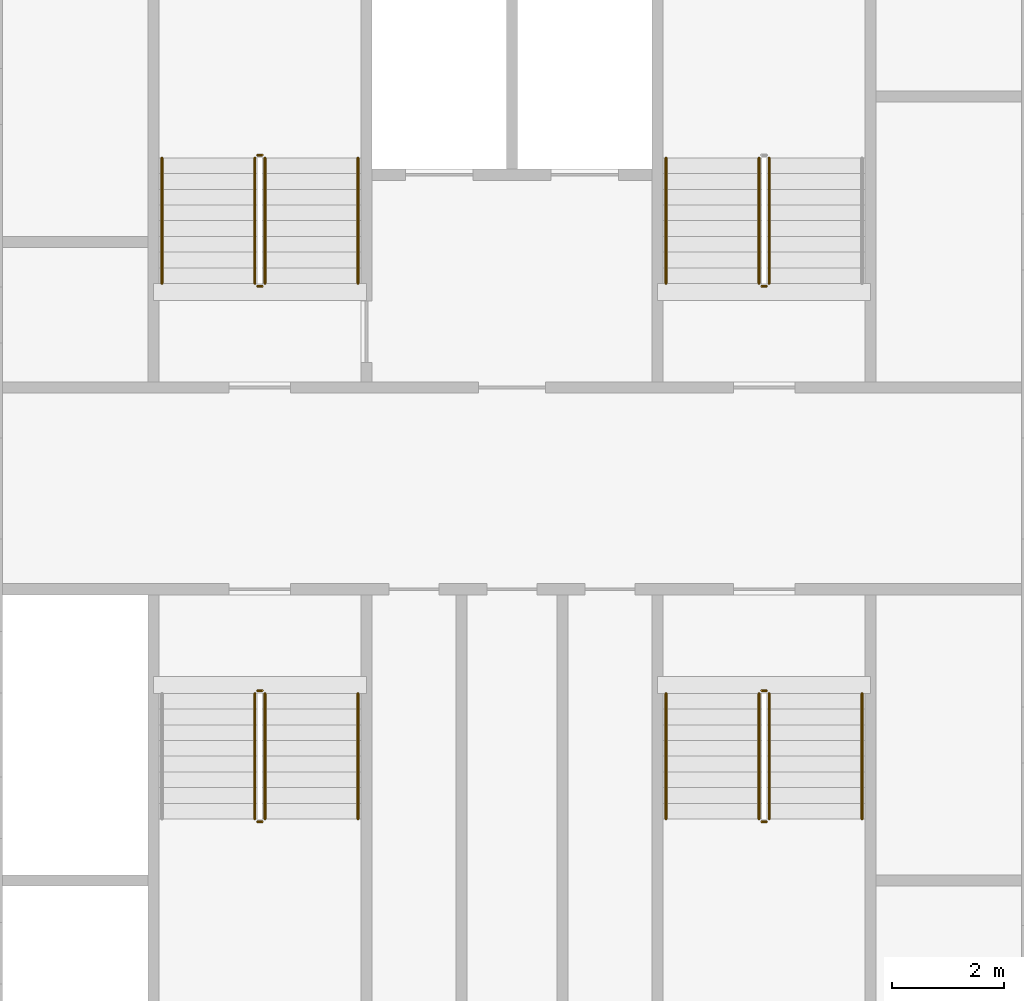
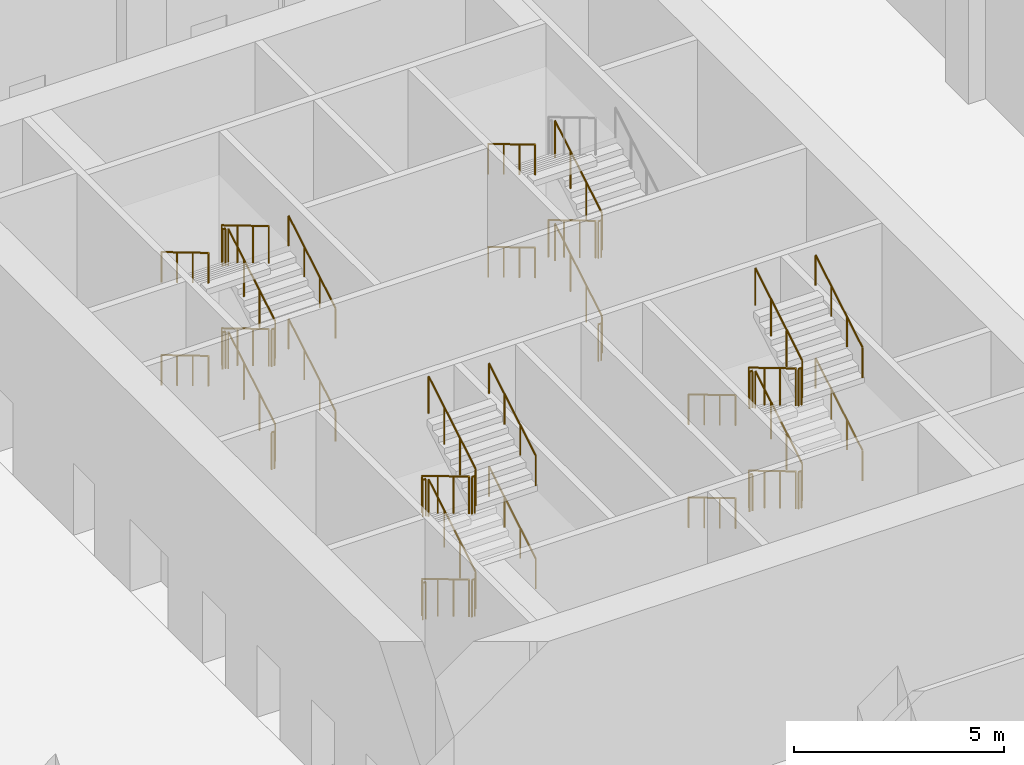
# One storey, part 22 of 24: 41 railings.
"""IFC4 building model written with IfcOpenShell, lengths in metres."""

import ifcopenshell
import ifcopenshell.guid

model = None  # the IFC model being written
_history = None  # IfcOwnerHistory: only IFC2X3 demands one
_inside = {}  # id of a spatial element -> (the spatial element, [elements in it])
_under = {}  # id of a project, library or spatial element -> (it, [spatial elements below it])
_declared = {}  # id of a project -> (the project, [libraries it declares])
_typed = {}  # id of a type object -> (the type object, [elements of that type])
_made_of = {}  # id of a material, layer set ... -> (it, [elements and type objects made of it])


def new_model(schema):
    """Start an empty IFC model of exactly this schema.

    Asked for "IFC4X3", IfcOpenShell would pick the latest addendum, in which some entities
    have other attributes; the version numbers below select the first issue.
    IFC2X3 requires an IfcOwnerHistory on every rooted entity: one is made here for all.
    """
    global model, _history
    if schema == "IFC4X3":
        model = ifcopenshell.file(schema_version=(4, 3, 0, 0))
    else:
        model = ifcopenshell.file(schema=schema)
    _inside.clear()
    _under.clear()
    _declared.clear()
    _typed.clear()
    _made_of.clear()
    _history = None
    if model.schema == "IFC2X3":
        org = make("IfcOrganization", Name="unknown")
        user = make(
            "IfcPersonAndOrganization",
            ThePerson=make("IfcPerson", FamilyName="unknown"),
            TheOrganization=org,
        )
        app = make(
            "IfcApplication",
            ApplicationDeveloper=org,
            Version="unknown",
            ApplicationFullName="unknown",
            ApplicationIdentifier="unknown",
        )
        _history = make(
            "IfcOwnerHistory",
            OwningUser=user,
            OwningApplication=app,
            ChangeAction="ADDED",
            CreationDate=0,
        )
    return model


def make(cls, **values):
    """One entity of the class cls with the attributes given. An attribute that is None is left unset."""
    return model.create_entity(
        cls, **{name: value for name, value in values.items() if value is not None}
    )


def rooted(cls, **values):
    """An entity with a GlobalId (a new one), such as an element, a storey or a relation."""
    return make(cls, GlobalId=ifcopenshell.guid.new(), OwnerHistory=_history, **values)


def si_unit(unit_type, name, prefix=None):
    """IfcSIUnit, for example si_unit("LENGTHUNIT", "METRE", prefix="MILLI")."""
    return make("IfcSIUnit", UnitType=unit_type, Prefix=prefix, Name=name)


def assignment(units):
    """IfcUnitAssignment: the units of a project."""
    return None if units is None else make("IfcUnitAssignment", Units=units)


def point(xyz):
    """IfcCartesianPoint."""
    return None if xyz is None else make("IfcCartesianPoint", Coordinates=xyz)


def direction(xyz):
    """IfcDirection."""
    return None if xyz is None else make("IfcDirection", DirectionRatios=xyz)


def frame(location, z_axis=None, x_axis=None):
    """IfcAxis2Placement3D, a coordinate frame: its origin and axes. An axis left out is left unset."""
    return make(
        "IfcAxis2Placement3D",
        Location=point(location),
        Axis=direction(z_axis),
        RefDirection=direction(x_axis),
    )


def frame_2d(location, x_axis=None):
    """IfcAxis2Placement2D, a coordinate frame in the plane: its origin and x axis."""
    return make(
        "IfcAxis2Placement2D", Location=point(location), RefDirection=direction(x_axis)
    )


def origin():
    """The frame at (0, 0, 0) with its axes left unset."""
    return frame((0.0, 0.0, 0.0))


def origin_2d():
    """The frame at (0, 0) in the plane with its x axis left unset."""
    return frame_2d((0.0, 0.0))


def place(relative_to, where):
    """IfcLocalPlacement: puts the frame where relative to a parent placement (None: the world)."""
    return make(
        "IfcLocalPlacement", PlacementRelTo=relative_to, RelativePlacement=where
    )


def context(
    kind, dimensions, precision=None, world=None, true_north=None, identifier=None
):
    """IfcGeometricRepresentationContext, for example the 3D "Model" context."""
    return make(
        "IfcGeometricRepresentationContext",
        ContextIdentifier=identifier,
        ContextType=kind,
        CoordinateSpaceDimension=dimensions,
        Precision=precision,
        WorldCoordinateSystem=world,
        TrueNorth=true_north,
    )


def subcontext(parent, identifier, kind, view, scale=None):
    """IfcGeometricRepresentationSubContext, for example "Body" below "Model"."""
    return make(
        "IfcGeometricRepresentationSubContext",
        ContextIdentifier=identifier,
        ContextType=kind,
        ParentContext=parent,
        TargetScale=scale,
        TargetView=view,
    )


def project(units=None, contexts=None):
    """IfcProject with its units and contexts."""
    return rooted(
        "IfcProject",
        Name="project",
        RepresentationContexts=contexts,
        UnitsInContext=assignment(units),
    )


def spatial(cls, under=None, at=None, **own):
    """A site, building, storey or space (cls), placed at a placement, below another one or the project."""
    s = rooted(cls, ObjectPlacement=at, **own)
    if under is not None:
        _under.setdefault(under.id(), (under, []))[1].append(s)
    return s


def profile(cls, at=None, kind="AREA", **sizes):
    """A parametric profile (cls). Its sizes go by their IFC names, for example OverallWidth=200.0."""
    return make(cls, ProfileType=kind, Position=at, **sizes)


def circle(**sizes):
    """IfcCircleProfileDef."""
    return profile("IfcCircleProfileDef", **sizes)


def extrude(swept, where, along, depth):
    """IfcExtrudedAreaSolid: the profile swept, set in the frame where, extruded along a direction by depth."""
    return make(
        "IfcExtrudedAreaSolid",
        SweptArea=swept,
        Position=where,
        ExtrudedDirection=direction(along),
        Depth=depth,
    )


def shape(context_of_items, identifier, shape_type, items):
    """IfcShapeRepresentation: the items that make up one representation, for example the "Body"."""
    return make(
        "IfcShapeRepresentation",
        ContextOfItems=context_of_items,
        RepresentationIdentifier=identifier,
        RepresentationType=shape_type,
        Items=items,
    )


def material(Name=None, Category=None):
    """IfcMaterial."""
    return make("IfcMaterial", Name=Name, Category=Category)


def made_of(thing, what):
    """Note that an element or type object is made of a material, layer set ...; save() writes the relation."""
    if what is not None:
        _made_of.setdefault(what.id(), (what, []))[1].append(thing)
    return thing


def type_object(cls, material=None, **own):
    """A type object (cls), such as IfcWallType, which elements share."""
    return made_of(rooted(cls, **own), material)


def element(
    cls,
    number,
    at=None,
    inside=None,
    cuts=None,
    type_object=None,
    material=None,
    context=None,
    identifier="Body",
    shape_type=None,
    held_by="IfcProductDefinitionShape",
    body=None,
    shapes=None,
    **own,
):
    """One element of the class cls, such as IfcWall. Its Tag is "e" and its number.

    at: its placement. inside: the storey or other place that contains it. cuts: it is an
    opening in that element (IfcRelVoidsElement). A single representation is given by context,
    identifier, shape_type and body (its items); several are given by shapes. held_by: the class
    of the entity that holds the representations. save() writes the other relations.
    """
    e = rooted(cls, Tag="e%d" % number, ObjectPlacement=at, **own)
    if body is not None:
        shapes = [shape(context, identifier, shape_type, body)]
    if shapes is not None:
        e.Representation = make(held_by, Representations=shapes)
    if inside is not None:
        _inside.setdefault(inside.id(), (inside, []))[1].append(e)
    if cuts is not None:
        rooted(
            "IfcRelVoidsElement", RelatingBuildingElement=cuts, RelatedOpeningElement=e
        )
    if type_object is not None:
        _typed.setdefault(type_object.id(), (type_object, []))[1].append(e)
    return made_of(e, material)


def aggregate(whole, parts):
    """IfcRelAggregates: a whole, such as a stair, and the parts it consists of."""
    return rooted("IfcRelAggregates", RelatingObject=whole, RelatedObjects=parts)


def save(model, path):
    """Write the relations noted so far, then the file.

    IfcRelAggregates (storeys below a building ...), IfcRelContainedInSpatialStructure (elements
    in a storey), IfcRelDefinesByType, IfcRelAssociatesMaterial and IfcRelDeclares: one each for
    every whole, place, type object, material and project.
    """
    for whole, parts in _under.values():
        aggregate(whole, parts)
    for where, things in _inside.values():
        rooted(
            "IfcRelContainedInSpatialStructure",
            RelatedElements=things,
            RelatingStructure=where,
        )
    for kind, things in _typed.values():
        rooted("IfcRelDefinesByType", RelatedObjects=things, RelatingType=kind)
    for what, things in _made_of.values():
        rooted("IfcRelAssociatesMaterial", RelatedObjects=things, RelatingMaterial=what)
    for by, libraries in _declared.values():
        rooted("IfcRelDeclares", RelatingContext=by, RelatedDefinitions=libraries)
    model.write(path)


model = new_model("IFC4")

# Units and contexts
model_context = context("Model", 3, precision=1e-05, world=origin(), true_north=direction((0.0, 1.0)))
body_context = subcontext(model_context, "Body", "Model", "MODEL_VIEW")
ifc_project = project(units=[si_unit("LENGTHUNIT", "METRE"), si_unit("AREAUNIT", "SQUARE_METRE"), si_unit("VOLUMEUNIT", "CUBIC_METRE"), si_unit("PLANEANGLEUNIT", "RADIAN"), si_unit("MASSUNIT", "GRAM", prefix="KILO")], contexts=[model_context])

# Site, building, storey
site_placement = place(None, origin())
site = spatial("IfcSite", under=ifc_project, at=site_placement, CompositionType="ELEMENT")
building_placement = place(site_placement, origin())
building = spatial("IfcBuilding", under=site, at=building_placement, Name="Tarsis Ring Headquarters", CompositionType="ELEMENT")
storey_placement = place(building_placement, frame((0.0, 0.0, 8.0)))
storey = spatial("IfcBuildingStorey", under=building, at=storey_placement, Name="L01", CompositionType="ELEMENT", Elevation=8.0)

# Railings
ifc_material = material(Name="Steel S355", Category="steel")
railing_type_1 = type_object("IfcRailingType", Name="Core stair guard 1100", PredefinedType="GUARDRAIL", material=ifc_material)
railing_1_placement = place(storey_placement, frame((-4.409912109375, 3.659912109375, 0.166748046875)))
element("IfcRailing", 1, at=railing_1_placement, inside=storey, type_object=railing_type_1, Name="L01 ST1 stair guard 1", PredefinedType="GUARDRAIL", context=body_context, shape_type="SweptSolid", body=[
    extrude(circle(Radius=0.02392578125, at=origin_2d()), frame((0.0, 0.0, 1.076171875), z_axis=(0.0, 0.859305625298, 0.511462454469), x_axis=(-1.0, 0.0, 0.0)), (0.0, 0.0, 1.0), 2.606689453125),
    extrude(circle(Radius=0.02099609375, at=origin_2d()), origin(), (0.0, 0.0, 1.0), 1.052001953125),
    extrude(circle(Radius=0.02099609375, at=origin_2d()), frame((0.0, 0.74658203125, 0.4443359375)), (0.0, 0.0, 1.0), 1.052001953125),
    extrude(circle(Radius=0.02099609375, at=origin_2d()), frame((0.0, 1.493408203125, 0.888916015625)), (0.0, 0.0, 1.0), 1.052001953125),
    extrude(circle(Radius=0.02099609375, at=origin_2d()), frame((0.0, 2.239990234375, 1.333251953125)), (0.0, 0.0, 1.0), 1.052001953125),
])
railing_2_placement = place(storey_placement, frame((-4.4599609375, 5.949951171875, 1.5)))
element("IfcRailing", 2, at=railing_2_placement, inside=storey, type_object=railing_type_1, Name="L01 ST1 stair guard 2", PredefinedType="GUARDRAIL", context=body_context, shape_type="SweptSolid", body=[
    extrude(circle(Radius=0.02392578125, at=origin_2d()), frame((0.0, 0.0, 1.076171875), z_axis=(-1.0, 0.0, 0.0), x_axis=(0.0, -1.0, 0.0)), (0.0, 0.0, 1.0), 0.080078125),
    extrude(circle(Radius=0.02099609375, at=origin_2d()), origin(), (0.0, 0.0, 1.0), 1.052001953125),
    extrude(circle(Radius=0.02099609375, at=origin_2d()), frame((-0.080078125, 0.0, 0.0)), (0.0, 0.0, 1.0), 1.052001953125),
])
railing_3_placement = place(storey_placement, frame((-4.590087890625, 5.89990234375, 1.666748046875)))
element("IfcRailing", 3, at=railing_3_placement, inside=storey, type_object=railing_type_1, Name="L01 ST1 stair guard 3", PredefinedType="GUARDRAIL", context=body_context, shape_type="SweptSolid", body=[
    extrude(circle(Radius=0.02392578125, at=origin_2d()), frame((0.0, 0.0, 1.076171875), z_axis=(0.0, -0.859305625298, 0.511462454469), x_axis=(1.0, 0.0, 0.0)), (0.0, 0.0, 1.0), 2.606689453125),
    extrude(circle(Radius=0.02099609375, at=origin_2d()), origin(), (0.0, 0.0, 1.0), 1.052001953125),
    extrude(circle(Radius=0.02099609375, at=origin_2d()), frame((0.0, -0.74658203125, 0.4443359375)), (0.0, 0.0, 1.0), 1.052001953125),
    extrude(circle(Radius=0.02099609375, at=origin_2d()), frame((0.0, -1.493408203125, 0.888916015625)), (0.0, 0.0, 1.0), 1.052001953125),
    extrude(circle(Radius=0.02099609375, at=origin_2d()), frame((0.0, -2.239990234375, 1.333251953125)), (0.0, 0.0, 1.0), 1.052001953125),
])
railing_4_placement = place(storey_placement, frame((-4.4599609375, 3.610107421875, 3.0)))
element("IfcRailing", 4, at=railing_4_placement, inside=storey, type_object=railing_type_1, Name="L01 ST1 stair guard 4", PredefinedType="GUARDRAIL", context=body_context, shape_type="SweptSolid", body=[
    extrude(circle(Radius=0.02392578125, at=origin_2d()), frame((0.0, 0.0, 1.076171875), z_axis=(-1.0, 0.0, 0.0), x_axis=(0.0, -1.0, 0.0)), (0.0, 0.0, 1.0), 0.080078125),
    extrude(circle(Radius=0.02099609375, at=origin_2d()), origin(), (0.0, 0.0, 1.0), 1.052001953125),
    extrude(circle(Radius=0.02099609375, at=origin_2d()), frame((-0.080078125, 0.0, 0.0)), (0.0, 0.0, 1.0), 1.052001953125),
])
railing_5_placement = place(storey_placement, frame((-4.409912109375, 3.659912109375, 3.166748046875)))
element("IfcRailing", 5, at=railing_5_placement, inside=storey, type_object=railing_type_1, Name="L01 ST1 stair guard 5", PredefinedType="GUARDRAIL", context=body_context, shape_type="SweptSolid", body=[
    extrude(circle(Radius=0.02392578125, at=origin_2d()), frame((0.0, 0.0, 1.076171875), z_axis=(0.0, 0.859305625298, 0.511462454469), x_axis=(-1.0, 0.0, 0.0)), (0.0, 0.0, 1.0), 2.606689453125),
    extrude(circle(Radius=0.02099609375, at=origin_2d()), origin(), (0.0, 0.0, 1.0), 1.052001953125),
    extrude(circle(Radius=0.02099609375, at=origin_2d()), frame((0.0, 0.74658203125, 0.4443359375)), (0.0, 0.0, 1.0), 1.052001953125),
    extrude(circle(Radius=0.02099609375, at=origin_2d()), frame((0.0, 1.493408203125, 0.888916015625)), (0.0, 0.0, 1.0), 1.052001953125),
    extrude(circle(Radius=0.02099609375, at=origin_2d()), frame((0.0, 2.239990234375, 1.333251953125)), (0.0, 0.0, 1.0), 1.052001953125),
])
railing_6_placement = place(storey_placement, frame((-4.4599609375, 5.949951171875, 4.5)))
element("IfcRailing", 6, at=railing_6_placement, inside=storey, type_object=railing_type_1, Name="L01 ST1 stair guard 6", PredefinedType="GUARDRAIL", context=body_context, shape_type="SweptSolid", body=[
    extrude(circle(Radius=0.02392578125, at=origin_2d()), frame((0.0, 0.0, 1.076171875), z_axis=(-1.0, 0.0, 0.0), x_axis=(0.0, -1.0, 0.0)), (0.0, 0.0, 1.0), 0.080078125),
    extrude(circle(Radius=0.02099609375, at=origin_2d()), origin(), (0.0, 0.0, 1.0), 1.052001953125),
    extrude(circle(Radius=0.02099609375, at=origin_2d()), frame((-0.080078125, 0.0, 0.0)), (0.0, 0.0, 1.0), 1.052001953125),
])
railing_7_placement = place(storey_placement, frame((-4.590087890625, 5.89990234375, 4.666748046875)))
element("IfcRailing", 7, at=railing_7_placement, inside=storey, type_object=railing_type_1, Name="L01 ST1 stair guard 7", PredefinedType="GUARDRAIL", context=body_context, shape_type="SweptSolid", body=[
    extrude(circle(Radius=0.02392578125, at=origin_2d()), frame((0.0, 0.0, 1.076171875), z_axis=(0.0, -0.859305625298, 0.511462454469), x_axis=(1.0, 0.0, 0.0)), (0.0, 0.0, 1.0), 2.606689453125),
    extrude(circle(Radius=0.02099609375, at=origin_2d()), origin(), (0.0, 0.0, 1.0), 1.052001953125),
    extrude(circle(Radius=0.02099609375, at=origin_2d()), frame((0.0, -0.74658203125, 0.4443359375)), (0.0, 0.0, 1.0), 1.052001953125),
    extrude(circle(Radius=0.02099609375, at=origin_2d()), frame((0.0, -1.493408203125, 0.888916015625)), (0.0, 0.0, 1.0), 1.052001953125),
    extrude(circle(Radius=0.02099609375, at=origin_2d()), frame((0.0, -2.239990234375, 1.333251953125)), (0.0, 0.0, 1.0), 1.052001953125),
])
railing_8_placement = place(storey_placement, frame((-4.4599609375, 3.610107421875, 0.0)))
element("IfcRailing", 8, at=railing_8_placement, inside=storey, type_object=railing_type_1, Name="L01 ST1 stair guard 8", PredefinedType="GUARDRAIL", context=body_context, shape_type="SweptSolid", body=[
    extrude(circle(Radius=0.02392578125, at=origin_2d()), frame((0.0, 0.0, 1.076171875), z_axis=(-1.0, 0.0, 0.0), x_axis=(0.0, -1.0, 0.0)), (0.0, 0.0, 1.0), 0.080078125),
    extrude(circle(Radius=0.02099609375, at=origin_2d()), origin(), (0.0, 0.0, 1.0), 1.052001953125),
    extrude(circle(Radius=0.02099609375, at=origin_2d()), frame((-0.080078125, 0.0, 0.0)), (0.0, 0.0, 1.0), 1.052001953125),
])
railing_9_placement = place(storey_placement, frame((4.590087890625, 3.659912109375, 0.166748046875)))
element("IfcRailing", 9, at=railing_9_placement, inside=storey, type_object=railing_type_1, Name="L01 ST2 stair guard 1", PredefinedType="GUARDRAIL", context=body_context, shape_type="SweptSolid", body=[
    extrude(circle(Radius=0.02392578125, at=origin_2d()), frame((0.0, 0.0, 1.076171875), z_axis=(0.0, 0.859305625298, 0.511462454469), x_axis=(-1.0, 0.0, 0.0)), (0.0, 0.0, 1.0), 2.606689453125),
    extrude(circle(Radius=0.02099609375, at=origin_2d()), origin(), (0.0, 0.0, 1.0), 1.052001953125),
    extrude(circle(Radius=0.02099609375, at=origin_2d()), frame((0.0, 0.74658203125, 0.4443359375)), (0.0, 0.0, 1.0), 1.052001953125),
    extrude(circle(Radius=0.02099609375, at=origin_2d()), frame((0.0, 1.493408203125, 0.888916015625)), (0.0, 0.0, 1.0), 1.052001953125),
    extrude(circle(Radius=0.02099609375, at=origin_2d()), frame((0.0, 2.239990234375, 1.333251953125)), (0.0, 0.0, 1.0), 1.052001953125),
])
railing_10_placement = place(storey_placement, frame((4.409912109375, 5.89990234375, 1.666748046875)))
element("IfcRailing", 10, at=railing_10_placement, inside=storey, type_object=railing_type_1, Name="L01 ST2 stair guard 3", PredefinedType="GUARDRAIL", context=body_context, shape_type="SweptSolid", body=[
    extrude(circle(Radius=0.02392578125, at=origin_2d()), frame((0.0, 0.0, 1.076171875), z_axis=(0.0, -0.859305625298, 0.511462454469), x_axis=(1.0, 0.0, 0.0)), (0.0, 0.0, 1.0), 2.606689453125),
    extrude(circle(Radius=0.02099609375, at=origin_2d()), origin(), (0.0, 0.0, 1.0), 1.052001953125),
    extrude(circle(Radius=0.02099609375, at=origin_2d()), frame((0.0, -0.74658203125, 0.4443359375)), (0.0, 0.0, 1.0), 1.052001953125),
    extrude(circle(Radius=0.02099609375, at=origin_2d()), frame((0.0, -1.493408203125, 0.888916015625)), (0.0, 0.0, 1.0), 1.052001953125),
    extrude(circle(Radius=0.02099609375, at=origin_2d()), frame((0.0, -2.239990234375, 1.333251953125)), (0.0, 0.0, 1.0), 1.052001953125),
])
railing_11_placement = place(storey_placement, frame((4.5400390625, 3.610107421875, 3.0)))
element("IfcRailing", 11, at=railing_11_placement, inside=storey, type_object=railing_type_1, Name="L01 ST2 stair guard 4", PredefinedType="GUARDRAIL", context=body_context, shape_type="SweptSolid", body=[
    extrude(circle(Radius=0.02392578125, at=origin_2d()), frame((0.0, 0.0, 1.076171875), z_axis=(-1.0, 0.0, 0.0), x_axis=(0.0, -1.0, 0.0)), (0.0, 0.0, 1.0), 0.080078125),
    extrude(circle(Radius=0.02099609375, at=origin_2d()), origin(), (0.0, 0.0, 1.0), 1.052001953125),
    extrude(circle(Radius=0.02099609375, at=origin_2d()), frame((-0.080078125, 0.0, 0.0)), (0.0, 0.0, 1.0), 1.052001953125),
])
railing_12_placement = place(storey_placement, frame((4.590087890625, 3.659912109375, 3.166748046875)))
element("IfcRailing", 12, at=railing_12_placement, inside=storey, type_object=railing_type_1, Name="L01 ST2 stair guard 5", PredefinedType="GUARDRAIL", context=body_context, shape_type="SweptSolid", body=[
    extrude(circle(Radius=0.02392578125, at=origin_2d()), frame((0.0, 0.0, 1.076171875), z_axis=(0.0, 0.859305625298, 0.511462454469), x_axis=(-1.0, 0.0, 0.0)), (0.0, 0.0, 1.0), 2.606689453125),
    extrude(circle(Radius=0.02099609375, at=origin_2d()), origin(), (0.0, 0.0, 1.0), 1.052001953125),
    extrude(circle(Radius=0.02099609375, at=origin_2d()), frame((0.0, 0.74658203125, 0.4443359375)), (0.0, 0.0, 1.0), 1.052001953125),
    extrude(circle(Radius=0.02099609375, at=origin_2d()), frame((0.0, 1.493408203125, 0.888916015625)), (0.0, 0.0, 1.0), 1.052001953125),
    extrude(circle(Radius=0.02099609375, at=origin_2d()), frame((0.0, 2.239990234375, 1.333251953125)), (0.0, 0.0, 1.0), 1.052001953125),
])
railing_13_placement = place(storey_placement, frame((4.5400390625, 3.610107421875, 0.0)))
element("IfcRailing", 13, at=railing_13_placement, inside=storey, type_object=railing_type_1, Name="L01 ST2 stair guard 8", PredefinedType="GUARDRAIL", context=body_context, shape_type="SweptSolid", body=[
    extrude(circle(Radius=0.02392578125, at=origin_2d()), frame((0.0, 0.0, 1.076171875), z_axis=(-1.0, 0.0, 0.0), x_axis=(0.0, -1.0, 0.0)), (0.0, 0.0, 1.0), 0.080078125),
    extrude(circle(Radius=0.02099609375, at=origin_2d()), origin(), (0.0, 0.0, 1.0), 1.052001953125),
    extrude(circle(Radius=0.02099609375, at=origin_2d()), frame((-0.080078125, 0.0, 0.0)), (0.0, 0.0, 1.0), 1.052001953125),
])
railing_14_placement = place(storey_placement, frame((-4.590087890625, -3.659912109375, 0.166748046875)))
element("IfcRailing", 14, at=railing_14_placement, inside=storey, type_object=railing_type_1, Name="L01 ST3 stair guard 1", PredefinedType="GUARDRAIL", context=body_context, shape_type="SweptSolid", body=[
    extrude(circle(Radius=0.02392578125, at=origin_2d()), frame((0.0, 0.0, 1.076171875), z_axis=(0.0, -0.859305625298, 0.511462454469), x_axis=(1.0, 0.0, 0.0)), (0.0, 0.0, 1.0), 2.606689453125),
    extrude(circle(Radius=0.02099609375, at=origin_2d()), origin(), (0.0, 0.0, 1.0), 1.052001953125),
    extrude(circle(Radius=0.02099609375, at=origin_2d()), frame((0.0, -0.74658203125, 0.4443359375)), (0.0, 0.0, 1.0), 1.052001953125),
    extrude(circle(Radius=0.02099609375, at=origin_2d()), frame((0.0, -1.493408203125, 0.888916015625)), (0.0, 0.0, 1.0), 1.052001953125),
    extrude(circle(Radius=0.02099609375, at=origin_2d()), frame((0.0, -2.239990234375, 1.333251953125)), (0.0, 0.0, 1.0), 1.052001953125),
])
railing_15_placement = place(storey_placement, frame((-4.5400390625, -5.949951171875, 1.5)))
element("IfcRailing", 15, at=railing_15_placement, inside=storey, type_object=railing_type_1, Name="L01 ST3 stair guard 2", PredefinedType="GUARDRAIL", context=body_context, shape_type="SweptSolid", body=[
    extrude(circle(Radius=0.02392578125, at=origin_2d()), frame((0.0, 0.0, 1.076171875), z_axis=(1.0, 0.0, 0.0), x_axis=(0.0, 1.0, 0.0)), (0.0, 0.0, 1.0), 0.080078125),
    extrude(circle(Radius=0.02099609375, at=origin_2d()), origin(), (0.0, 0.0, 1.0), 1.052001953125),
    extrude(circle(Radius=0.02099609375, at=origin_2d()), frame((0.080078125, 0.0, 0.0)), (0.0, 0.0, 1.0), 1.052001953125),
])
railing_16_placement = place(storey_placement, frame((-4.409912109375, -5.89990234375, 1.666748046875)))
element("IfcRailing", 16, at=railing_16_placement, inside=storey, type_object=railing_type_1, Name="L01 ST3 stair guard 3", PredefinedType="GUARDRAIL", context=body_context, shape_type="SweptSolid", body=[
    extrude(circle(Radius=0.02392578125, at=origin_2d()), frame((0.0, 0.0, 1.076171875), z_axis=(0.0, 0.859305625298, 0.511462454469), x_axis=(-1.0, 0.0, 0.0)), (0.0, 0.0, 1.0), 2.606689453125),
    extrude(circle(Radius=0.02099609375, at=origin_2d()), origin(), (0.0, 0.0, 1.0), 1.052001953125),
    extrude(circle(Radius=0.02099609375, at=origin_2d()), frame((0.0, 0.74658203125, 0.4443359375)), (0.0, 0.0, 1.0), 1.052001953125),
    extrude(circle(Radius=0.02099609375, at=origin_2d()), frame((0.0, 1.493408203125, 0.888916015625)), (0.0, 0.0, 1.0), 1.052001953125),
    extrude(circle(Radius=0.02099609375, at=origin_2d()), frame((0.0, 2.239990234375, 1.333251953125)), (0.0, 0.0, 1.0), 1.052001953125),
])
railing_17_placement = place(storey_placement, frame((-4.5400390625, -3.610107421875, 3.0)))
element("IfcRailing", 17, at=railing_17_placement, inside=storey, type_object=railing_type_1, Name="L01 ST3 stair guard 4", PredefinedType="GUARDRAIL", context=body_context, shape_type="SweptSolid", body=[
    extrude(circle(Radius=0.02392578125, at=origin_2d()), frame((0.0, 0.0, 1.076171875), z_axis=(1.0, 0.0, 0.0), x_axis=(0.0, 1.0, 0.0)), (0.0, 0.0, 1.0), 0.080078125),
    extrude(circle(Radius=0.02099609375, at=origin_2d()), origin(), (0.0, 0.0, 1.0), 1.052001953125),
    extrude(circle(Radius=0.02099609375, at=origin_2d()), frame((0.080078125, 0.0, 0.0)), (0.0, 0.0, 1.0), 1.052001953125),
])
railing_18_placement = place(storey_placement, frame((-4.590087890625, -3.659912109375, 3.166748046875)))
element("IfcRailing", 18, at=railing_18_placement, inside=storey, type_object=railing_type_1, Name="L01 ST3 stair guard 5", PredefinedType="GUARDRAIL", context=body_context, shape_type="SweptSolid", body=[
    extrude(circle(Radius=0.02392578125, at=origin_2d()), frame((0.0, 0.0, 1.076171875), z_axis=(0.0, -0.859305625298, 0.511462454469), x_axis=(1.0, 0.0, 0.0)), (0.0, 0.0, 1.0), 2.606689453125),
    extrude(circle(Radius=0.02099609375, at=origin_2d()), origin(), (0.0, 0.0, 1.0), 1.052001953125),
    extrude(circle(Radius=0.02099609375, at=origin_2d()), frame((0.0, -0.74658203125, 0.4443359375)), (0.0, 0.0, 1.0), 1.052001953125),
    extrude(circle(Radius=0.02099609375, at=origin_2d()), frame((0.0, -1.493408203125, 0.888916015625)), (0.0, 0.0, 1.0), 1.052001953125),
    extrude(circle(Radius=0.02099609375, at=origin_2d()), frame((0.0, -2.239990234375, 1.333251953125)), (0.0, 0.0, 1.0), 1.052001953125),
])
railing_19_placement = place(storey_placement, frame((-4.5400390625, -5.949951171875, 4.5)))
element("IfcRailing", 19, at=railing_19_placement, inside=storey, type_object=railing_type_1, Name="L01 ST3 stair guard 6", PredefinedType="GUARDRAIL", context=body_context, shape_type="SweptSolid", body=[
    extrude(circle(Radius=0.02392578125, at=origin_2d()), frame((0.0, 0.0, 1.076171875), z_axis=(1.0, 0.0, 0.0), x_axis=(0.0, 1.0, 0.0)), (0.0, 0.0, 1.0), 0.080078125),
    extrude(circle(Radius=0.02099609375, at=origin_2d()), origin(), (0.0, 0.0, 1.0), 1.052001953125),
    extrude(circle(Radius=0.02099609375, at=origin_2d()), frame((0.080078125, 0.0, 0.0)), (0.0, 0.0, 1.0), 1.052001953125),
])
railing_20_placement = place(storey_placement, frame((-4.409912109375, -5.89990234375, 4.666748046875)))
element("IfcRailing", 20, at=railing_20_placement, inside=storey, type_object=railing_type_1, Name="L01 ST3 stair guard 7", PredefinedType="GUARDRAIL", context=body_context, shape_type="SweptSolid", body=[
    extrude(circle(Radius=0.02392578125, at=origin_2d()), frame((0.0, 0.0, 1.076171875), z_axis=(0.0, 0.859305625298, 0.511462454469), x_axis=(-1.0, 0.0, 0.0)), (0.0, 0.0, 1.0), 2.606689453125),
    extrude(circle(Radius=0.02099609375, at=origin_2d()), origin(), (0.0, 0.0, 1.0), 1.052001953125),
    extrude(circle(Radius=0.02099609375, at=origin_2d()), frame((0.0, 0.74658203125, 0.4443359375)), (0.0, 0.0, 1.0), 1.052001953125),
    extrude(circle(Radius=0.02099609375, at=origin_2d()), frame((0.0, 1.493408203125, 0.888916015625)), (0.0, 0.0, 1.0), 1.052001953125),
    extrude(circle(Radius=0.02099609375, at=origin_2d()), frame((0.0, 2.239990234375, 1.333251953125)), (0.0, 0.0, 1.0), 1.052001953125),
])
railing_21_placement = place(storey_placement, frame((-4.5400390625, -3.610107421875, 0.0)))
element("IfcRailing", 21, at=railing_21_placement, inside=storey, type_object=railing_type_1, Name="L01 ST3 stair guard 8", PredefinedType="GUARDRAIL", context=body_context, shape_type="SweptSolid", body=[
    extrude(circle(Radius=0.02392578125, at=origin_2d()), frame((0.0, 0.0, 1.076171875), z_axis=(1.0, 0.0, 0.0), x_axis=(0.0, 1.0, 0.0)), (0.0, 0.0, 1.0), 0.080078125),
    extrude(circle(Radius=0.02099609375, at=origin_2d()), origin(), (0.0, 0.0, 1.0), 1.052001953125),
    extrude(circle(Radius=0.02099609375, at=origin_2d()), frame((0.080078125, 0.0, 0.0)), (0.0, 0.0, 1.0), 1.052001953125),
])
railing_22_placement = place(storey_placement, frame((4.409912109375, -3.659912109375, 0.166748046875)))
element("IfcRailing", 22, at=railing_22_placement, inside=storey, type_object=railing_type_1, Name="L01 ST4 stair guard 1", PredefinedType="GUARDRAIL", context=body_context, shape_type="SweptSolid", body=[
    extrude(circle(Radius=0.02392578125, at=origin_2d()), frame((0.0, 0.0, 1.076171875), z_axis=(0.0, -0.859305625298, 0.511462454469), x_axis=(1.0, 0.0, 0.0)), (0.0, 0.0, 1.0), 2.606689453125),
    extrude(circle(Radius=0.02099609375, at=origin_2d()), origin(), (0.0, 0.0, 1.0), 1.052001953125),
    extrude(circle(Radius=0.02099609375, at=origin_2d()), frame((0.0, -0.74658203125, 0.4443359375)), (0.0, 0.0, 1.0), 1.052001953125),
    extrude(circle(Radius=0.02099609375, at=origin_2d()), frame((0.0, -1.493408203125, 0.888916015625)), (0.0, 0.0, 1.0), 1.052001953125),
    extrude(circle(Radius=0.02099609375, at=origin_2d()), frame((0.0, -2.239990234375, 1.333251953125)), (0.0, 0.0, 1.0), 1.052001953125),
])
railing_23_placement = place(storey_placement, frame((4.4599609375, -5.949951171875, 1.5)))
element("IfcRailing", 23, at=railing_23_placement, inside=storey, type_object=railing_type_1, Name="L01 ST4 stair guard 2", PredefinedType="GUARDRAIL", context=body_context, shape_type="SweptSolid", body=[
    extrude(circle(Radius=0.02392578125, at=origin_2d()), frame((0.0, 0.0, 1.076171875), z_axis=(1.0, 0.0, 0.0), x_axis=(0.0, 1.0, 0.0)), (0.0, 0.0, 1.0), 0.080078125),
    extrude(circle(Radius=0.02099609375, at=origin_2d()), origin(), (0.0, 0.0, 1.0), 1.052001953125),
    extrude(circle(Radius=0.02099609375, at=origin_2d()), frame((0.080078125, 0.0, 0.0)), (0.0, 0.0, 1.0), 1.052001953125),
])
railing_24_placement = place(storey_placement, frame((4.590087890625, -5.89990234375, 1.666748046875)))
element("IfcRailing", 24, at=railing_24_placement, inside=storey, type_object=railing_type_1, Name="L01 ST4 stair guard 3", PredefinedType="GUARDRAIL", context=body_context, shape_type="SweptSolid", body=[
    extrude(circle(Radius=0.02392578125, at=origin_2d()), frame((0.0, 0.0, 1.076171875), z_axis=(0.0, 0.859305625298, 0.511462454469), x_axis=(-1.0, 0.0, 0.0)), (0.0, 0.0, 1.0), 2.606689453125),
    extrude(circle(Radius=0.02099609375, at=origin_2d()), origin(), (0.0, 0.0, 1.0), 1.052001953125),
    extrude(circle(Radius=0.02099609375, at=origin_2d()), frame((0.0, 0.74658203125, 0.4443359375)), (0.0, 0.0, 1.0), 1.052001953125),
    extrude(circle(Radius=0.02099609375, at=origin_2d()), frame((0.0, 1.493408203125, 0.888916015625)), (0.0, 0.0, 1.0), 1.052001953125),
    extrude(circle(Radius=0.02099609375, at=origin_2d()), frame((0.0, 2.239990234375, 1.333251953125)), (0.0, 0.0, 1.0), 1.052001953125),
])
railing_25_placement = place(storey_placement, frame((4.4599609375, -3.610107421875, 3.0)))
element("IfcRailing", 25, at=railing_25_placement, inside=storey, type_object=railing_type_1, Name="L01 ST4 stair guard 4", PredefinedType="GUARDRAIL", context=body_context, shape_type="SweptSolid", body=[
    extrude(circle(Radius=0.02392578125, at=origin_2d()), frame((0.0, 0.0, 1.076171875), z_axis=(1.0, 0.0, 0.0), x_axis=(0.0, 1.0, 0.0)), (0.0, 0.0, 1.0), 0.080078125),
    extrude(circle(Radius=0.02099609375, at=origin_2d()), origin(), (0.0, 0.0, 1.0), 1.052001953125),
    extrude(circle(Radius=0.02099609375, at=origin_2d()), frame((0.080078125, 0.0, 0.0)), (0.0, 0.0, 1.0), 1.052001953125),
])
railing_26_placement = place(storey_placement, frame((4.409912109375, -3.659912109375, 3.166748046875)))
element("IfcRailing", 26, at=railing_26_placement, inside=storey, type_object=railing_type_1, Name="L01 ST4 stair guard 5", PredefinedType="GUARDRAIL", context=body_context, shape_type="SweptSolid", body=[
    extrude(circle(Radius=0.02392578125, at=origin_2d()), frame((0.0, 0.0, 1.076171875), z_axis=(0.0, -0.859305625298, 0.511462454469), x_axis=(1.0, 0.0, 0.0)), (0.0, 0.0, 1.0), 2.606689453125),
    extrude(circle(Radius=0.02099609375, at=origin_2d()), origin(), (0.0, 0.0, 1.0), 1.052001953125),
    extrude(circle(Radius=0.02099609375, at=origin_2d()), frame((0.0, -0.74658203125, 0.4443359375)), (0.0, 0.0, 1.0), 1.052001953125),
    extrude(circle(Radius=0.02099609375, at=origin_2d()), frame((0.0, -1.493408203125, 0.888916015625)), (0.0, 0.0, 1.0), 1.052001953125),
    extrude(circle(Radius=0.02099609375, at=origin_2d()), frame((0.0, -2.239990234375, 1.333251953125)), (0.0, 0.0, 1.0), 1.052001953125),
])
railing_27_placement = place(storey_placement, frame((4.4599609375, -5.949951171875, 4.5)))
element("IfcRailing", 27, at=railing_27_placement, inside=storey, type_object=railing_type_1, Name="L01 ST4 stair guard 6", PredefinedType="GUARDRAIL", context=body_context, shape_type="SweptSolid", body=[
    extrude(circle(Radius=0.02392578125, at=origin_2d()), frame((0.0, 0.0, 1.076171875), z_axis=(1.0, 0.0, 0.0), x_axis=(0.0, 1.0, 0.0)), (0.0, 0.0, 1.0), 0.080078125),
    extrude(circle(Radius=0.02099609375, at=origin_2d()), origin(), (0.0, 0.0, 1.0), 1.052001953125),
    extrude(circle(Radius=0.02099609375, at=origin_2d()), frame((0.080078125, 0.0, 0.0)), (0.0, 0.0, 1.0), 1.052001953125),
])
railing_28_placement = place(storey_placement, frame((4.590087890625, -5.89990234375, 4.666748046875)))
element("IfcRailing", 28, at=railing_28_placement, inside=storey, type_object=railing_type_1, Name="L01 ST4 stair guard 7", PredefinedType="GUARDRAIL", context=body_context, shape_type="SweptSolid", body=[
    extrude(circle(Radius=0.02392578125, at=origin_2d()), frame((0.0, 0.0, 1.076171875), z_axis=(0.0, 0.859305625298, 0.511462454469), x_axis=(-1.0, 0.0, 0.0)), (0.0, 0.0, 1.0), 2.606689453125),
    extrude(circle(Radius=0.02099609375, at=origin_2d()), origin(), (0.0, 0.0, 1.0), 1.052001953125),
    extrude(circle(Radius=0.02099609375, at=origin_2d()), frame((0.0, 0.74658203125, 0.4443359375)), (0.0, 0.0, 1.0), 1.052001953125),
    extrude(circle(Radius=0.02099609375, at=origin_2d()), frame((0.0, 1.493408203125, 0.888916015625)), (0.0, 0.0, 1.0), 1.052001953125),
    extrude(circle(Radius=0.02099609375, at=origin_2d()), frame((0.0, 2.239990234375, 1.333251953125)), (0.0, 0.0, 1.0), 1.052001953125),
])
railing_29_placement = place(storey_placement, frame((4.4599609375, -3.610107421875, 0.0)))
element("IfcRailing", 29, at=railing_29_placement, inside=storey, type_object=railing_type_1, Name="L01 ST4 stair guard 8", PredefinedType="GUARDRAIL", context=body_context, shape_type="SweptSolid", body=[
    extrude(circle(Radius=0.02392578125, at=origin_2d()), frame((0.0, 0.0, 1.076171875), z_axis=(1.0, 0.0, 0.0), x_axis=(0.0, 1.0, 0.0)), (0.0, 0.0, 1.0), 0.080078125),
    extrude(circle(Radius=0.02099609375, at=origin_2d()), origin(), (0.0, 0.0, 1.0), 1.052001953125),
    extrude(circle(Radius=0.02099609375, at=origin_2d()), frame((0.080078125, 0.0, 0.0)), (0.0, 0.0, 1.0), 1.052001953125),
])
railing_type_2 = type_object("IfcRailingType", Name="Core stair handrail 900", PredefinedType="HANDRAIL", material=ifc_material)
railing_30_placement = place(storey_placement, frame((-2.75, 3.659912109375, 0.166748046875)))
element("IfcRailing", 30, at=railing_30_placement, inside=storey, type_object=railing_type_2, Name="L01 ST1 stair handrail 1", PredefinedType="HANDRAIL", context=body_context, shape_type="SweptSolid", body=[
    extrude(circle(Radius=0.02392578125, at=origin_2d()), frame((0.0, 0.0, 0.8759765625), z_axis=(0.0, 0.859305625298, 0.511462454469), x_axis=(-1.0, 0.0, 0.0)), (0.0, 0.0, 1.0), 2.606689453125),
    extrude(circle(Radius=0.02099609375, at=origin_2d()), origin(), (0.0, 0.0, 1.0), 0.851806640625),
    extrude(circle(Radius=0.02099609375, at=origin_2d()), frame((0.0, 0.74658203125, 0.4443359375)), (0.0, 0.0, 1.0), 0.851806640625),
    extrude(circle(Radius=0.02099609375, at=origin_2d()), frame((0.0, 1.493408203125, 0.888916015625)), (0.0, 0.0, 1.0), 0.851806640625),
    extrude(circle(Radius=0.02099609375, at=origin_2d()), frame((0.0, 2.239990234375, 1.333251953125)), (0.0, 0.0, 1.0), 0.851806640625),
])
railing_31_placement = place(storey_placement, frame((-6.25, 5.89990234375, 1.666748046875)))
element("IfcRailing", 31, at=railing_31_placement, inside=storey, type_object=railing_type_2, Name="L01 ST1 stair handrail 2", PredefinedType="HANDRAIL", context=body_context, shape_type="SweptSolid", body=[
    extrude(circle(Radius=0.02392578125, at=origin_2d()), frame((0.0, 0.0, 0.8759765625), z_axis=(0.0, -0.859305625298, 0.511462454469), x_axis=(1.0, 0.0, 0.0)), (0.0, 0.0, 1.0), 2.606689453125),
    extrude(circle(Radius=0.02099609375, at=origin_2d()), origin(), (0.0, 0.0, 1.0), 0.851806640625),
    extrude(circle(Radius=0.02099609375, at=origin_2d()), frame((0.0, -0.74658203125, 0.4443359375)), (0.0, 0.0, 1.0), 0.851806640625),
    extrude(circle(Radius=0.02099609375, at=origin_2d()), frame((0.0, -1.493408203125, 0.888916015625)), (0.0, 0.0, 1.0), 0.851806640625),
    extrude(circle(Radius=0.02099609375, at=origin_2d()), frame((0.0, -2.239990234375, 1.333251953125)), (0.0, 0.0, 1.0), 0.851806640625),
])
railing_32_placement = place(storey_placement, frame((-2.75, 3.659912109375, 3.166748046875)))
element("IfcRailing", 32, at=railing_32_placement, inside=storey, type_object=railing_type_2, Name="L01 ST1 stair handrail 3", PredefinedType="HANDRAIL", context=body_context, shape_type="SweptSolid", body=[
    extrude(circle(Radius=0.02392578125, at=origin_2d()), frame((0.0, 0.0, 0.8759765625), z_axis=(0.0, 0.859305625298, 0.511462454469), x_axis=(-1.0, 0.0, 0.0)), (0.0, 0.0, 1.0), 2.606689453125),
    extrude(circle(Radius=0.02099609375, at=origin_2d()), origin(), (0.0, 0.0, 1.0), 0.851806640625),
    extrude(circle(Radius=0.02099609375, at=origin_2d()), frame((0.0, 0.74658203125, 0.4443359375)), (0.0, 0.0, 1.0), 0.851806640625),
    extrude(circle(Radius=0.02099609375, at=origin_2d()), frame((0.0, 1.493408203125, 0.888916015625)), (0.0, 0.0, 1.0), 0.851806640625),
    extrude(circle(Radius=0.02099609375, at=origin_2d()), frame((0.0, 2.239990234375, 1.333251953125)), (0.0, 0.0, 1.0), 0.851806640625),
])
for number, where, name in (
    (33, (-6.25, 5.89990234375, 4.666748046875), "L01 ST1 stair handrail 4"),
    (34, (2.75, 5.89990234375, 1.666748046875), "L01 ST2 stair handrail 2"),
    (35, (2.75, 5.89990234375, 4.666748046875), "L01 ST2 stair handrail 4"),
):
    element("IfcRailing", number, at=place(storey_placement, frame(where)), inside=storey, type_object=railing_type_2, Name=name, PredefinedType="HANDRAIL", context=body_context, shape_type="SweptSolid", body=[
        extrude(circle(Radius=0.02392578125, at=origin_2d()), frame((0.0, 0.0, 0.8759765625), z_axis=(0.0, -0.859305625298, 0.511462454469), x_axis=(1.0, 0.0, 0.0)), (0.0, 0.0, 1.0), 2.606689453125),
        extrude(circle(Radius=0.02099609375, at=origin_2d()), origin(), (0.0, 0.0, 1.0), 0.851806640625),
        extrude(circle(Radius=0.02099609375, at=origin_2d()), frame((0.0, -0.74658203125, 0.4443359375)), (0.0, 0.0, 1.0), 0.851806640625),
        extrude(circle(Radius=0.02099609375, at=origin_2d()), frame((0.0, -1.493408203125, 0.888916015625)), (0.0, 0.0, 1.0), 0.851806640625),
        extrude(circle(Radius=0.02099609375, at=origin_2d()), frame((0.0, -2.239990234375, 1.333251953125)), (0.0, 0.0, 1.0), 0.851806640625),
    ])
for number, where, name in (
    (36, (-2.75, -5.89990234375, 1.666748046875), "L01 ST3 stair handrail 2"),
    (37, (-2.75, -5.89990234375, 4.666748046875), "L01 ST3 stair handrail 4"),
):
    element("IfcRailing", number, at=place(storey_placement, frame(where)), inside=storey, type_object=railing_type_2, Name=name, PredefinedType="HANDRAIL", context=body_context, shape_type="SweptSolid", body=[
        extrude(circle(Radius=0.02392578125, at=origin_2d()), frame((0.0, 0.0, 0.8759765625), z_axis=(0.0, 0.859305625298, 0.511462454469), x_axis=(-1.0, 0.0, 0.0)), (0.0, 0.0, 1.0), 2.606689453125),
        extrude(circle(Radius=0.02099609375, at=origin_2d()), origin(), (0.0, 0.0, 1.0), 0.851806640625),
        extrude(circle(Radius=0.02099609375, at=origin_2d()), frame((0.0, 0.74658203125, 0.4443359375)), (0.0, 0.0, 1.0), 0.851806640625),
        extrude(circle(Radius=0.02099609375, at=origin_2d()), frame((0.0, 1.493408203125, 0.888916015625)), (0.0, 0.0, 1.0), 0.851806640625),
        extrude(circle(Radius=0.02099609375, at=origin_2d()), frame((0.0, 2.239990234375, 1.333251953125)), (0.0, 0.0, 1.0), 0.851806640625),
    ])
railing_33_placement = place(storey_placement, frame((2.75, -3.659912109375, 0.166748046875)))
element("IfcRailing", 38, at=railing_33_placement, inside=storey, type_object=railing_type_2, Name="L01 ST4 stair handrail 1", PredefinedType="HANDRAIL", context=body_context, shape_type="SweptSolid", body=[
    extrude(circle(Radius=0.02392578125, at=origin_2d()), frame((0.0, 0.0, 0.8759765625), z_axis=(0.0, -0.859305625298, 0.511462454469), x_axis=(1.0, 0.0, 0.0)), (0.0, 0.0, 1.0), 2.606689453125),
    extrude(circle(Radius=0.02099609375, at=origin_2d()), origin(), (0.0, 0.0, 1.0), 0.851806640625),
    extrude(circle(Radius=0.02099609375, at=origin_2d()), frame((0.0, -0.74658203125, 0.4443359375)), (0.0, 0.0, 1.0), 0.851806640625),
    extrude(circle(Radius=0.02099609375, at=origin_2d()), frame((0.0, -1.493408203125, 0.888916015625)), (0.0, 0.0, 1.0), 0.851806640625),
    extrude(circle(Radius=0.02099609375, at=origin_2d()), frame((0.0, -2.239990234375, 1.333251953125)), (0.0, 0.0, 1.0), 0.851806640625),
])
railing_34_placement = place(storey_placement, frame((6.25, -5.89990234375, 1.666748046875)))
element("IfcRailing", 39, at=railing_34_placement, inside=storey, type_object=railing_type_2, Name="L01 ST4 stair handrail 2", PredefinedType="HANDRAIL", context=body_context, shape_type="SweptSolid", body=[
    extrude(circle(Radius=0.02392578125, at=origin_2d()), frame((0.0, 0.0, 0.8759765625), z_axis=(0.0, 0.859305625298, 0.511462454469), x_axis=(-1.0, 0.0, 0.0)), (0.0, 0.0, 1.0), 2.606689453125),
    extrude(circle(Radius=0.02099609375, at=origin_2d()), origin(), (0.0, 0.0, 1.0), 0.851806640625),
    extrude(circle(Radius=0.02099609375, at=origin_2d()), frame((0.0, 0.74658203125, 0.4443359375)), (0.0, 0.0, 1.0), 0.851806640625),
    extrude(circle(Radius=0.02099609375, at=origin_2d()), frame((0.0, 1.493408203125, 0.888916015625)), (0.0, 0.0, 1.0), 0.851806640625),
    extrude(circle(Radius=0.02099609375, at=origin_2d()), frame((0.0, 2.239990234375, 1.333251953125)), (0.0, 0.0, 1.0), 0.851806640625),
])
railing_35_placement = place(storey_placement, frame((2.75, -3.659912109375, 3.166748046875)))
element("IfcRailing", 40, at=railing_35_placement, inside=storey, type_object=railing_type_2, Name="L01 ST4 stair handrail 3", PredefinedType="HANDRAIL", context=body_context, shape_type="SweptSolid", body=[
    extrude(circle(Radius=0.02392578125, at=origin_2d()), frame((0.0, 0.0, 0.8759765625), z_axis=(0.0, -0.859305625298, 0.511462454469), x_axis=(1.0, 0.0, 0.0)), (0.0, 0.0, 1.0), 2.606689453125),
    extrude(circle(Radius=0.02099609375, at=origin_2d()), origin(), (0.0, 0.0, 1.0), 0.851806640625),
    extrude(circle(Radius=0.02099609375, at=origin_2d()), frame((0.0, -0.74658203125, 0.4443359375)), (0.0, 0.0, 1.0), 0.851806640625),
    extrude(circle(Radius=0.02099609375, at=origin_2d()), frame((0.0, -1.493408203125, 0.888916015625)), (0.0, 0.0, 1.0), 0.851806640625),
    extrude(circle(Radius=0.02099609375, at=origin_2d()), frame((0.0, -2.239990234375, 1.333251953125)), (0.0, 0.0, 1.0), 0.851806640625),
])
railing_36_placement = place(storey_placement, frame((6.25, -5.89990234375, 4.666748046875)))
element("IfcRailing", 41, at=railing_36_placement, inside=storey, type_object=railing_type_2, Name="L01 ST4 stair handrail 4", PredefinedType="HANDRAIL", context=body_context, shape_type="SweptSolid", body=[
    extrude(circle(Radius=0.02392578125, at=origin_2d()), frame((0.0, 0.0, 0.8759765625), z_axis=(0.0, 0.859305625298, 0.511462454469), x_axis=(-1.0, 0.0, 0.0)), (0.0, 0.0, 1.0), 2.606689453125),
    extrude(circle(Radius=0.02099609375, at=origin_2d()), origin(), (0.0, 0.0, 1.0), 0.851806640625),
    extrude(circle(Radius=0.02099609375, at=origin_2d()), frame((0.0, 0.74658203125, 0.4443359375)), (0.0, 0.0, 1.0), 0.851806640625),
    extrude(circle(Radius=0.02099609375, at=origin_2d()), frame((0.0, 1.493408203125, 0.888916015625)), (0.0, 0.0, 1.0), 0.851806640625),
    extrude(circle(Radius=0.02099609375, at=origin_2d()), frame((0.0, 2.239990234375, 1.333251953125)), (0.0, 0.0, 1.0), 0.851806640625),
])

save(model, "model.ifc")
